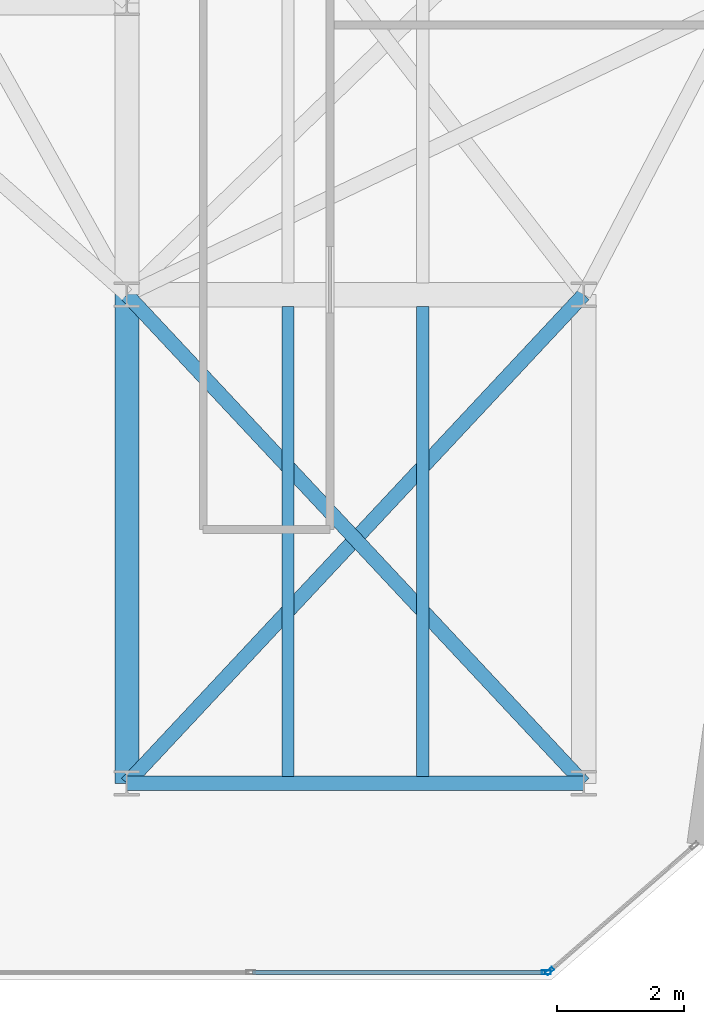
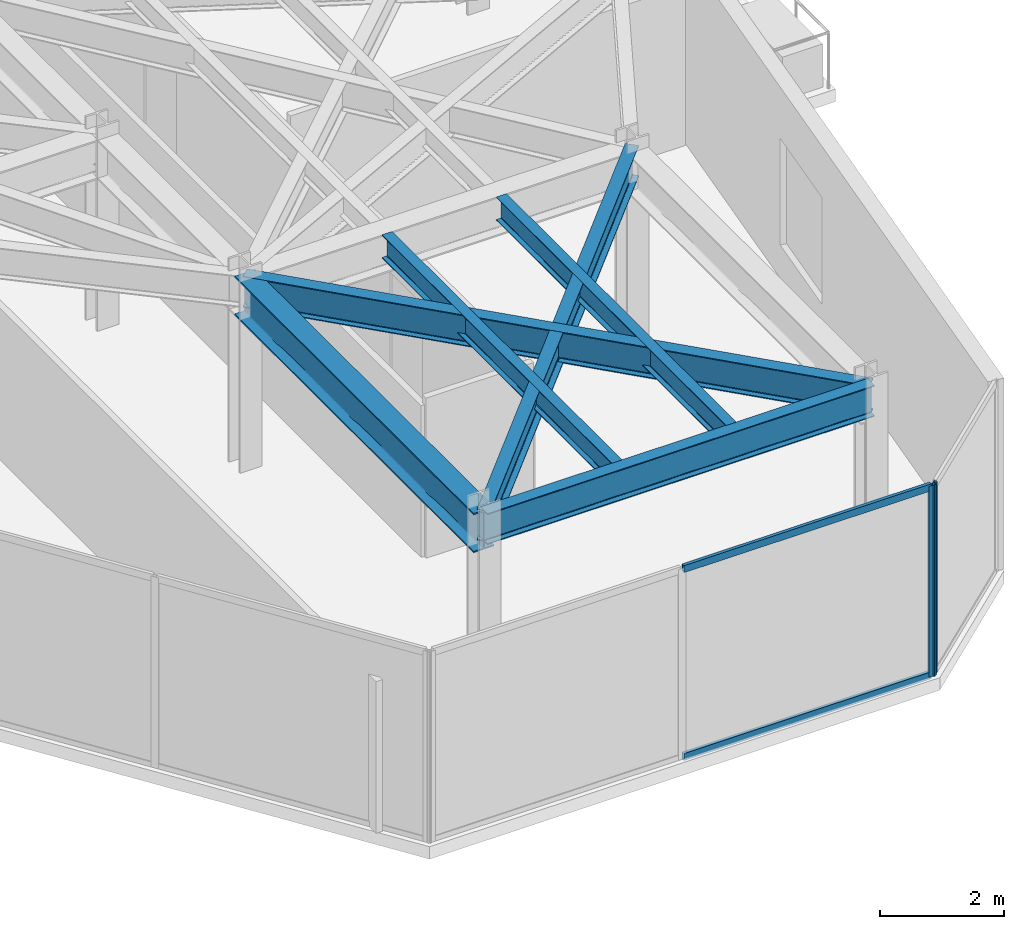
# One storey, part 11 of 21: 6 beams, 4 members, 2 elements without a shape of their own.
"""IFC4 building model written with IfcOpenShell, lengths in metres."""

import ifcopenshell
import ifcopenshell.guid

model = None  # the IFC model being written
_history = None  # IfcOwnerHistory: only IFC2X3 demands one
_inside = {}  # id of a spatial element -> (the spatial element, [elements in it])
_under = {}  # id of a project, library or spatial element -> (it, [spatial elements below it])
_declared = {}  # id of a project -> (the project, [libraries it declares])
_typed = {}  # id of a type object -> (the type object, [elements of that type])
_made_of = {}  # id of a material, layer set ... -> (it, [elements and type objects made of it])


def new_model(schema):
    """Start an empty IFC model of exactly this schema.

    Asked for "IFC4X3", IfcOpenShell would pick the latest addendum, in which some entities
    have other attributes; the version numbers below select the first issue.
    IFC2X3 requires an IfcOwnerHistory on every rooted entity: one is made here for all.
    """
    global model, _history
    if schema == "IFC4X3":
        model = ifcopenshell.file(schema_version=(4, 3, 0, 0))
    else:
        model = ifcopenshell.file(schema=schema)
    _inside.clear()
    _under.clear()
    _declared.clear()
    _typed.clear()
    _made_of.clear()
    _history = None
    if model.schema == "IFC2X3":
        org = make("IfcOrganization", Name="unknown")
        user = make(
            "IfcPersonAndOrganization",
            ThePerson=make("IfcPerson", FamilyName="unknown"),
            TheOrganization=org,
        )
        app = make(
            "IfcApplication",
            ApplicationDeveloper=org,
            Version="unknown",
            ApplicationFullName="unknown",
            ApplicationIdentifier="unknown",
        )
        _history = make(
            "IfcOwnerHistory",
            OwningUser=user,
            OwningApplication=app,
            ChangeAction="ADDED",
            CreationDate=0,
        )
    return model


def make(cls, **values):
    """One entity of the class cls with the attributes given. An attribute that is None is left unset."""
    return model.create_entity(
        cls, **{name: value for name, value in values.items() if value is not None}
    )


def rooted(cls, **values):
    """An entity with a GlobalId (a new one), such as an element, a storey or a relation."""
    return make(cls, GlobalId=ifcopenshell.guid.new(), OwnerHistory=_history, **values)


def si_unit(unit_type, name, prefix=None):
    """IfcSIUnit, for example si_unit("LENGTHUNIT", "METRE", prefix="MILLI")."""
    return make("IfcSIUnit", UnitType=unit_type, Prefix=prefix, Name=name)


def assignment(units):
    """IfcUnitAssignment: the units of a project."""
    return None if units is None else make("IfcUnitAssignment", Units=units)


def point(xyz):
    """IfcCartesianPoint."""
    return None if xyz is None else make("IfcCartesianPoint", Coordinates=xyz)


def direction(xyz):
    """IfcDirection."""
    return None if xyz is None else make("IfcDirection", DirectionRatios=xyz)


def frame(location, z_axis=None, x_axis=None):
    """IfcAxis2Placement3D, a coordinate frame: its origin and axes. An axis left out is left unset."""
    return make(
        "IfcAxis2Placement3D",
        Location=point(location),
        Axis=direction(z_axis),
        RefDirection=direction(x_axis),
    )


def frame_2d(location, x_axis=None):
    """IfcAxis2Placement2D, a coordinate frame in the plane: its origin and x axis."""
    return make(
        "IfcAxis2Placement2D", Location=point(location), RefDirection=direction(x_axis)
    )


def origin():
    """The frame at (0, 0, 0) with its axes left unset."""
    return frame((0.0, 0.0, 0.0))


def origin_2d():
    """The frame at (0, 0) in the plane with its x axis left unset."""
    return frame_2d((0.0, 0.0))


def place(relative_to, where):
    """IfcLocalPlacement: puts the frame where relative to a parent placement (None: the world)."""
    return make(
        "IfcLocalPlacement", PlacementRelTo=relative_to, RelativePlacement=where
    )


def context(
    kind, dimensions, precision=None, world=None, true_north=None, identifier=None
):
    """IfcGeometricRepresentationContext, for example the 3D "Model" context."""
    return make(
        "IfcGeometricRepresentationContext",
        ContextIdentifier=identifier,
        ContextType=kind,
        CoordinateSpaceDimension=dimensions,
        Precision=precision,
        WorldCoordinateSystem=world,
        TrueNorth=true_north,
    )


def subcontext(parent, identifier, kind, view, scale=None):
    """IfcGeometricRepresentationSubContext, for example "Body" below "Model"."""
    return make(
        "IfcGeometricRepresentationSubContext",
        ContextIdentifier=identifier,
        ContextType=kind,
        ParentContext=parent,
        TargetScale=scale,
        TargetView=view,
    )


def project(units=None, contexts=None):
    """IfcProject with its units and contexts."""
    return rooted(
        "IfcProject",
        Name="project",
        RepresentationContexts=contexts,
        UnitsInContext=assignment(units),
    )


def spatial(cls, under=None, at=None, **own):
    """A site, building, storey or space (cls), placed at a placement, below another one or the project."""
    s = rooted(cls, ObjectPlacement=at, **own)
    if under is not None:
        _under.setdefault(under.id(), (under, []))[1].append(s)
    return s


def profile(cls, at=None, kind="AREA", **sizes):
    """A parametric profile (cls). Its sizes go by their IFC names, for example OverallWidth=200.0."""
    return make(cls, ProfileType=kind, Position=at, **sizes)


def hollow_rectangle(**sizes):
    """IfcRectangleHollowProfileDef."""
    return profile("IfcRectangleHollowProfileDef", **sizes)


def i_section(**sizes):
    """IfcIShapeProfileDef."""
    return profile("IfcIShapeProfileDef", **sizes)


def extrude(swept, where, along, depth):
    """IfcExtrudedAreaSolid: the profile swept, set in the frame where, extruded along a direction by depth."""
    return make(
        "IfcExtrudedAreaSolid",
        SweptArea=swept,
        Position=where,
        ExtrudedDirection=direction(along),
        Depth=depth,
    )


def shape(context_of_items, identifier, shape_type, items):
    """IfcShapeRepresentation: the items that make up one representation, for example the "Body"."""
    return make(
        "IfcShapeRepresentation",
        ContextOfItems=context_of_items,
        RepresentationIdentifier=identifier,
        RepresentationType=shape_type,
        Items=items,
    )


def material(Name=None, Category=None):
    """IfcMaterial."""
    return make("IfcMaterial", Name=Name, Category=Category)


def layer(
    of_material, thickness, ventilated=None, Name=None, Category=None, Priority=None
):
    """IfcMaterialLayer: one layer of a wall or slab, of a material (None: an air gap)."""
    return make(
        "IfcMaterialLayer",
        Material=of_material,
        LayerThickness=thickness,
        IsVentilated=ventilated,
        Name=Name,
        Category=Category,
        Priority=Priority,
    )


def layer_set(layers, Name=None):
    """IfcMaterialLayerSet."""
    return make("IfcMaterialLayerSet", MaterialLayers=layers, LayerSetName=Name)


def material_profile(
    of_material, cross_section, Name=None, Category=None, Priority=None
):
    """IfcMaterialProfile: a cross section and its material."""
    return make(
        "IfcMaterialProfile",
        Name=Name,
        Material=of_material,
        Profile=cross_section,
        Priority=Priority,
        Category=Category,
    )


def profile_set(profiles, Name=None, composite=None):
    """IfcMaterialProfileSet."""
    return make(
        "IfcMaterialProfileSet",
        Name=Name,
        MaterialProfiles=profiles,
        CompositeProfile=composite,
    )


def made_of(thing, what):
    """Note that an element or type object is made of a material, layer set ...; save() writes the relation."""
    if what is not None:
        _made_of.setdefault(what.id(), (what, []))[1].append(thing)
    return thing


def type_object(cls, material=None, **own):
    """A type object (cls), such as IfcWallType, which elements share."""
    return made_of(rooted(cls, **own), material)


def element(
    cls,
    number,
    at=None,
    inside=None,
    cuts=None,
    type_object=None,
    material=None,
    context=None,
    identifier="Body",
    shape_type=None,
    held_by="IfcProductDefinitionShape",
    body=None,
    shapes=None,
    **own,
):
    """One element of the class cls, such as IfcWall. Its Tag is "e" and its number.

    at: its placement. inside: the storey or other place that contains it. cuts: it is an
    opening in that element (IfcRelVoidsElement). A single representation is given by context,
    identifier, shape_type and body (its items); several are given by shapes. held_by: the class
    of the entity that holds the representations. save() writes the other relations.
    """
    e = rooted(cls, Tag="e%d" % number, ObjectPlacement=at, **own)
    if body is not None:
        shapes = [shape(context, identifier, shape_type, body)]
    if shapes is not None:
        e.Representation = make(held_by, Representations=shapes)
    if inside is not None:
        _inside.setdefault(inside.id(), (inside, []))[1].append(e)
    if cuts is not None:
        rooted(
            "IfcRelVoidsElement", RelatingBuildingElement=cuts, RelatedOpeningElement=e
        )
    if type_object is not None:
        _typed.setdefault(type_object.id(), (type_object, []))[1].append(e)
    return made_of(e, material)


def aggregate(whole, parts):
    """IfcRelAggregates: a whole, such as a stair, and the parts it consists of."""
    return rooted("IfcRelAggregates", RelatingObject=whole, RelatedObjects=parts)


def save(model, path):
    """Write the relations noted so far, then the file.

    IfcRelAggregates (storeys below a building ...), IfcRelContainedInSpatialStructure (elements
    in a storey), IfcRelDefinesByType, IfcRelAssociatesMaterial and IfcRelDeclares: one each for
    every whole, place, type object, material and project.
    """
    for whole, parts in _under.values():
        aggregate(whole, parts)
    for where, things in _inside.values():
        rooted(
            "IfcRelContainedInSpatialStructure",
            RelatedElements=things,
            RelatingStructure=where,
        )
    for kind, things in _typed.values():
        rooted("IfcRelDefinesByType", RelatedObjects=things, RelatingType=kind)
    for what, things in _made_of.values():
        rooted("IfcRelAssociatesMaterial", RelatedObjects=things, RelatingMaterial=what)
    for by, libraries in _declared.values():
        rooted("IfcRelDeclares", RelatingContext=by, RelatedDefinitions=libraries)
    model.write(path)


model = new_model("IFC4")

# Units and contexts
model_context = context("Model", 3, precision=1e-05, world=origin(), true_north=direction((0.0, 1.0)))
body_context = subcontext(model_context, "Body", "Model", "MODEL_VIEW")
ifc_project = project(units=[si_unit("LENGTHUNIT", "METRE"), si_unit("AREAUNIT", "SQUARE_METRE"), si_unit("VOLUMEUNIT", "CUBIC_METRE"), si_unit("PLANEANGLEUNIT", "RADIAN"), si_unit("MASSUNIT", "GRAM", prefix="KILO")], contexts=[model_context])

# Site, building, storey
site_placement = place(None, origin())
site = spatial("IfcSite", under=ifc_project, at=site_placement, CompositionType="ELEMENT")
building_placement = place(site_placement, origin())
building = spatial("IfcBuilding", under=site, at=building_placement, Name="Kravanh Interchange Tower", CompositionType="ELEMENT")
storey_placement = place(building_placement, frame((0.0, 0.0, 200.5)))
storey = spatial("IfcBuildingStorey", under=building, at=storey_placement, Name="L48", CompositionType="ELEMENT", Elevation=200.5)

# Curtain wall, member
ifc_material_1 = material(Name="Anodised Bronze Aluminium", Category="aluminium")
ifc_layer = layer(ifc_material_1, 0.179931640625)
ifc_layer_set = layer_set([ifc_layer], Name="Unitised Curtain Wall System CW-Z3 Upper Office")
curtain_wall_type = type_object("IfcCurtainWallType", Name="Unitised Curtain Wall System CW-Z3 Upper Office", PredefinedType="NOTDEFINED", material=ifc_layer_set)
curtain_wall_1_placement = place(storey_placement, origin())
curtain_wall_1 = element("IfcCurtainWall", 1, at=curtain_wall_1_placement, inside=storey, type_object=curtain_wall_type, Name="L48 Unitised Curtain Wall CW-L48-01", PredefinedType="NOTDEFINED")
ifc_material_2 = material(Name="Anodised Bronze Aluminium", Category="aluminium")
ifc_material_profile_1 = material_profile(ifc_material_2, hollow_rectangle(XDim=0.06005859375, YDim=0.139892578125, WallThickness=0.00390625, at=origin_2d()), Name="ALU60X140X4")
ifc_profile_set_1 = profile_set([ifc_material_profile_1], Name="Anodised Bronze Aluminium")
member_type_1 = type_object("IfcMemberType", Name="Curtain Wall Mullion ALU60X140X4 Bronze", PredefinedType="MULLION", material=ifc_profile_set_1)
member_1_placement = place(storey_placement, frame((62.66357421875, 11.539794921875, 0.0), z_axis=(0.0, 0.0, 1.0), x_axis=(0.65605090137, -0.754716645379, 0.0)))
member_1 = element("IfcMember", 2, at=member_1_placement, type_object=member_type_1, Name="CW-Z3 mullion 2", PredefinedType="MULLION", context=body_context, shape_type="SweptSolid", body=[
    extrude(hollow_rectangle(XDim=0.06005859375, YDim=0.139892578125, WallThickness=0.00390625, at=origin_2d()), origin(), (0.0, 0.0, 1.0), 3.7548828125),
])
aggregate(curtain_wall_1, [member_1])

# Curtain wall, members
curtain_wall_2_placement = place(storey_placement, origin())
curtain_wall_2 = element("IfcCurtainWall", 3, at=curtain_wall_2_placement, inside=storey, type_object=curtain_wall_type, Name="L48 Unitised Curtain Wall CW-L48-02", PredefinedType="NOTDEFINED")
member_2_placement = place(storey_placement, frame((62.611083984375, 11.52001953125, 0.0), z_axis=(0.0, 0.0, 1.0), x_axis=(0.0, -1.0, 0.0)))
member_2 = element("IfcMember", 4, at=member_2_placement, type_object=member_type_1, Name="CW-Z3 mullion 1", PredefinedType="MULLION", context=body_context, shape_type="SweptSolid", body=[
    extrude(hollow_rectangle(XDim=0.06005859375, YDim=0.139892578125, WallThickness=0.00390625, at=origin_2d()), origin(), (0.0, 0.0, 1.0), 3.7548828125),
])
ifc_material_3 = material(Name="Anodised Bronze Aluminium", Category="aluminium")
ifc_material_profile_2 = material_profile(ifc_material_3, hollow_rectangle(XDim=0.06005859375, YDim=0.139892578125, WallThickness=0.00390625, at=origin_2d()), Name="ALU60X140X4")
ifc_profile_set_2 = profile_set([ifc_material_profile_2], Name="Anodised Bronze Aluminium")
member_type_2 = type_object("IfcMemberType", Name="Curtain Wall Transom ALU60X140X4 Bronze", PredefinedType="USERDEFINED", material=ifc_profile_set_2)
member_3_placement = place(storey_placement, frame((62.5810546875, 11.52001953125, 0.030029296875), z_axis=(-1.0, 0.0, 0.0), x_axis=(0.0, -1.0, 0.0)))
member_3 = element("IfcMember", 5, at=member_3_placement, type_object=member_type_2, Name="CW-Z3 transom 1.1", ObjectType="TRANSOM", PredefinedType="USERDEFINED", context=body_context, shape_type="SweptSolid", body=[
    extrude(hollow_rectangle(XDim=0.06005859375, YDim=0.139892578125, WallThickness=0.00390625, at=origin_2d()), origin(), (0.0, 0.0, 1.0), 4.59912109375),
])
member_4_placement = place(storey_placement, frame((62.5810546875, 11.52001953125, 3.72509765625), z_axis=(-1.0, 0.0, 0.0), x_axis=(0.0, -1.0, 0.0)))
member_4 = element("IfcMember", 6, at=member_4_placement, type_object=member_type_2, Name="CW-Z3 transom 1.2", ObjectType="TRANSOM", PredefinedType="USERDEFINED", context=body_context, shape_type="SweptSolid", body=[
    extrude(hollow_rectangle(XDim=0.06005859375, YDim=0.139892578125, WallThickness=0.00390625, at=origin_2d()), origin(), (0.0, 0.0, 1.0), 4.59912109375),
])
aggregate(curtain_wall_2, [member_2, member_3, member_4])

# Beams
ifc_material_4 = material(Name="Structural Steel S355", Category="steel")
ifc_material_profile_3 = material_profile(ifc_material_4, i_section(OverallWidth=0.381103515625, OverallDepth=0.77294921875, WebThickness=0.0166015625, FlangeThickness=0.027099609375, FilletRadius=0.02490234375, at=origin_2d()), Name="W30X173")
ifc_profile_set_3 = profile_set([ifc_material_profile_3], Name="Structural Steel S355")
beam_type_1 = type_object("IfcBeamType", Name="Floor Beam W30X173 Structural Steel S355", PredefinedType="BEAM", material=ifc_profile_set_3)
beam_1_placement = place(storey_placement, frame((56.0, 14.5, 3.368408203125), z_axis=(0.0, 1.0, 0.0), x_axis=(-1.0, 0.0, 0.0)))
element("IfcBeam", 7, at=beam_1_placement, inside=storey, type_object=beam_type_1, Name="L48 Primary Floor Girder 87", PredefinedType="BEAM", context=body_context, shape_type="SweptSolid", body=[
    extrude(i_section(OverallWidth=0.381103515625, OverallDepth=0.77294921875, WebThickness=0.0166015625, FlangeThickness=0.027099609375, FilletRadius=0.02490234375, at=origin_2d()), origin(), (0.0, 0.0, 1.0), 7.699951171875),
])
ifc_material_5 = material(Name="Structural Steel S355", Category="steel")
ifc_material_profile_4 = material_profile(ifc_material_5, i_section(OverallWidth=0.18994140625, OverallDepth=0.45703125, WebThickness=0.009033203125, FlangeThickness=0.014404296875, FilletRadius=0.01806640625, at=origin_2d()), Name="W18X50")
ifc_profile_set_4 = profile_set([ifc_material_profile_4], Name="Structural Steel S355")
beam_type_2 = type_object("IfcBeamType", Name="Floor Joist W18X50 Structural Steel S355", PredefinedType="JOIST", material=ifc_profile_set_4)
for number, where, z_axis, x_axis, name in (
    (8, (58.5380859375, 14.60888671875, 3.526611328125), (0.0, 1.0, 0.0), (-1.0, 0.0, 0.0), "L48 Secondary Floor Joist 3"),
    (9, (60.662109375, 14.60888671875, 3.526611328125), (0.0, 1.0, 0.0), (-1.0, 0.0, 0.0), "L48 Secondary Floor Joist 4"),
):
    element("IfcBeam", number, at=place(storey_placement, frame(where, z_axis=z_axis, x_axis=x_axis)), inside=storey, type_object=beam_type_2, Name=name, PredefinedType="JOIST", context=body_context, shape_type="SweptSolid", body=[
        extrude(i_section(OverallWidth=0.18994140625, OverallDepth=0.45703125, WebThickness=0.009033203125, FlangeThickness=0.014404296875, FilletRadius=0.01806640625, at=origin_2d()), origin(), (0.0, 0.0, 1.0), 7.405517578125),
    ])
ifc_material_6 = material(Name="Structural Steel S355", Category="steel")
ifc_material_profile_5 = material_profile(ifc_material_6, i_section(OverallWidth=0.22802734375, OverallDepth=0.60791015625, WebThickness=0.01123046875, FlangeThickness=0.017333984375, FilletRadius=0.02197265625, at=origin_2d()), Name="W24X76")
ifc_profile_set_5 = profile_set([ifc_material_profile_5], Name="Structural Steel S355")
beam_type_3 = type_object("IfcBeamType", Name="Floor Spandrel W24X76 Structural Steel S355", PredefinedType="SPANDREL", material=ifc_profile_set_5)
beam_2_placement = place(storey_placement, frame((56.0, 14.5, 3.450927734375), z_axis=(1.0, 0.0, 0.0), x_axis=(0.0, 1.0, 0.0)))
element("IfcBeam", 10, at=beam_2_placement, inside=storey, type_object=beam_type_3, Name="L48 Perimeter Spandrel 86", PredefinedType="SPANDREL", context=body_context, shape_type="SweptSolid", body=[
    extrude(i_section(OverallWidth=0.22802734375, OverallDepth=0.60791015625, WebThickness=0.01123046875, FlangeThickness=0.017333984375, FilletRadius=0.02197265625, at=origin_2d()), origin(), (0.0, 0.0, 1.0), 7.199951171875),
])
for number, where, z_axis, x_axis, name in (
    (11, (56.0, 14.5, 3.450927734375), (0.682993762113, 0.73042420614, 0.0), (-0.73042420614, 0.682993762113, 0.0), "L48 Perimeter Spandrel 88"),
    (12, (63.199951171875, 14.5, 3.450927734375), (-0.682993762113, 0.73042420614, 0.0), (-0.73042420614, -0.682993762113, 0.0), "L48 Perimeter Spandrel 90"),
):
    element("IfcBeam", number, at=place(storey_placement, frame(where, z_axis=z_axis, x_axis=x_axis)), inside=storey, type_object=beam_type_3, Name=name, PredefinedType="SPANDREL", context=body_context, shape_type="SweptSolid", body=[
        extrude(i_section(OverallWidth=0.22802734375, OverallDepth=0.60791015625, WebThickness=0.01123046875, FlangeThickness=0.017333984375, FilletRadius=0.02197265625, at=origin_2d()), origin(), (0.0, 0.0, 1.0), 10.541748046875),
    ])

save(model, "model.ifc")
